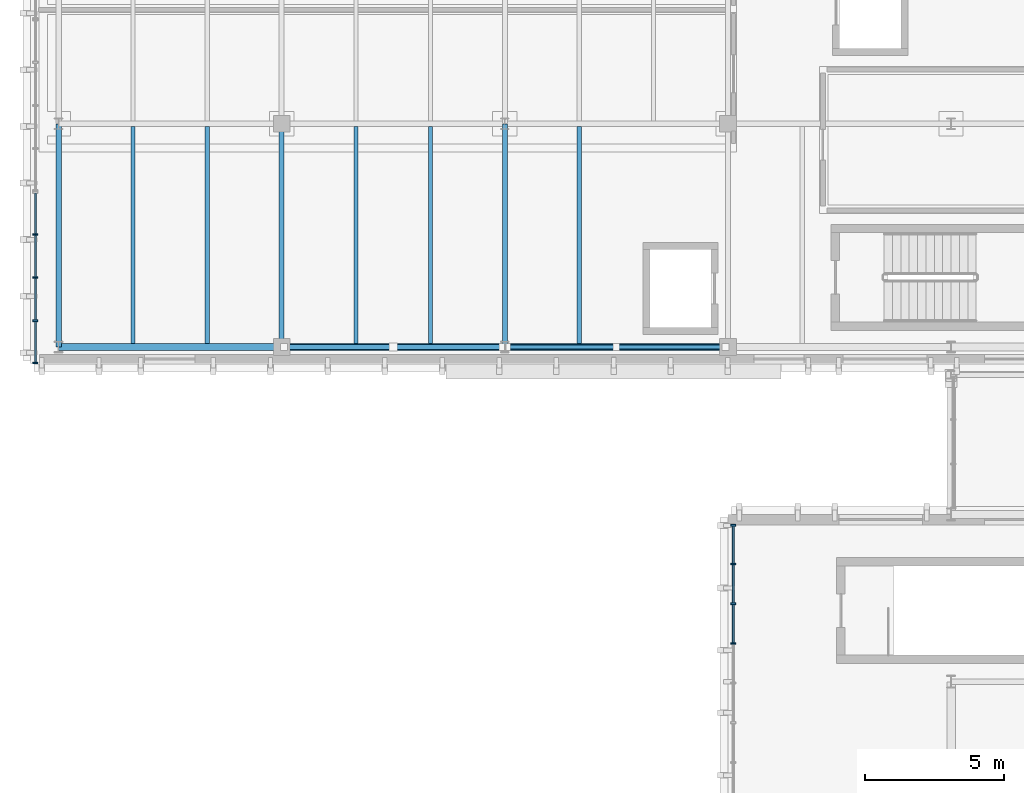
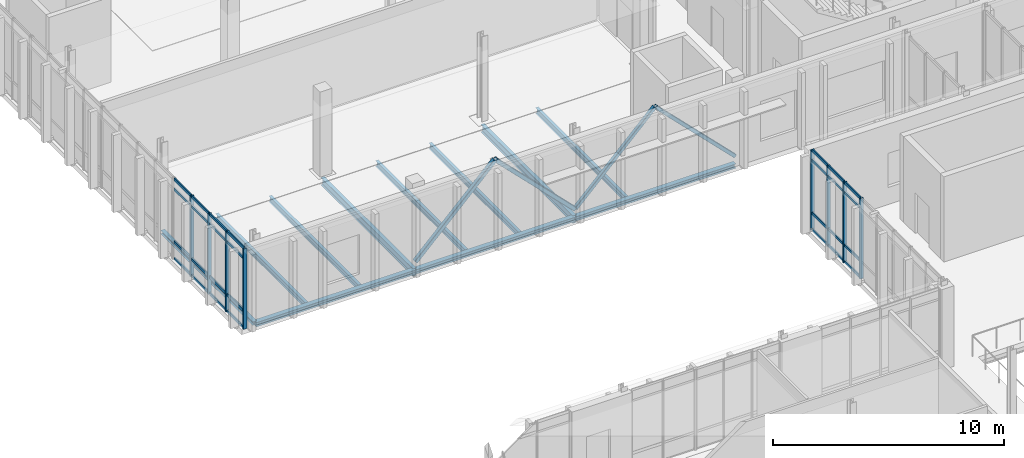
# One storey, part 20 of 100: 40 members, 11 beams, 2 elements without a shape of their own.
"""IFC4 building model written with IfcOpenShell, lengths in metres."""

from ifc_helpers import new_model, si_unit, direction, frame, origin, origin_2d, place, context, subcontext, project, spatial, rectangle, hollow_rectangle, i_section, extrude, material, material_profile, profile_set, type_object, element, aggregate, save


model = new_model("IFC4")

# Units and contexts
model_context = context("Model", 3, precision=1e-05, world=origin(), true_north=direction((0.0, 1.0)))
body_context = subcontext(model_context, "Body", "Model", "MODEL_VIEW")
ifc_project = project(units=[si_unit("LENGTHUNIT", "METRE"), si_unit("AREAUNIT", "SQUARE_METRE"), si_unit("VOLUMEUNIT", "CUBIC_METRE"), si_unit("PLANEANGLEUNIT", "RADIAN"), si_unit("MASSUNIT", "GRAM", prefix="KILO")], contexts=[model_context])

# Site, building, storey
site_placement = place(None, origin())
site = spatial("IfcSite", under=ifc_project, at=site_placement, CompositionType="ELEMENT")
building_placement = place(site_placement, origin())
building = spatial("IfcBuilding", under=site, at=building_placement, Name="Cymarion Research Institute", CompositionType="ELEMENT")
storey_placement = place(building_placement, frame((0.0, 0.0, 9.300048828125)))
storey = spatial("IfcBuildingStorey", under=building, at=storey_placement, Name="L02", CompositionType="ELEMENT", Elevation=9.300048828125)

# Curtain wall, members
ifc_material_1 = material(Name="Anodised aluminium unitised curtain wall with Low-E glazing", Category="aluminium")
curtain_wall_type_1 = type_object("IfcCurtainWallType", Name="UNITISED CURTAIN WALL CW15 11380X4250", PredefinedType="NOTDEFINED", material=ifc_material_1)
curtain_wall_1_placement = place(storey_placement, origin())
curtain_wall_1 = element("IfcCurtainWall", 1, at=curtain_wall_1_placement, inside=storey, type_object=curtain_wall_type_1, Name="L02 V3 unitised curtain wall CW15 #93", PredefinedType="NOTDEFINED")
ifc_material_2 = material(Name="Anodised aluminium framing", Category="aluminium")
ifc_material_profile_1 = material_profile(ifc_material_2, rectangle(XDim=0.06005859375, YDim=0.179931640625, at=origin_2d()), Name="ALU MULLION 60x180")
ifc_profile_set_1 = profile_set([ifc_material_profile_1], Name="Anodised aluminium framing")
member_type_1 = type_object("IfcMemberType", Name="CURTAIN WALL MULLION ML01 60X180", PredefinedType="MULLION", material=ifc_profile_set_1)
member_1_placement = place(storey_placement, frame((30.7900390625, 41.10791015625, 0.0), z_axis=(0.0, 0.0, 1.0), x_axis=(0.0, -1.0, 0.0)))
member_1 = element("IfcMember", 2, at=member_1_placement, type_object=member_type_1, Name="CW15 mullion 1", PredefinedType="MULLION", context=body_context, shape_type="SweptSolid", body=[
    extrude(rectangle(XDim=0.06005859375, YDim=0.179931640625, at=origin_2d()), origin(), (0.0, 0.0, 1.0), 4.25),
])
member_2_placement = place(storey_placement, frame((30.7900390625, 39.7158203125, 0.0), z_axis=(0.0, 0.0, 1.0), x_axis=(0.0, -1.0, 0.0)))
member_2 = element("IfcMember", 3, at=member_2_placement, type_object=member_type_1, Name="CW15 mullion 2", PredefinedType="MULLION", context=body_context, shape_type="SweptSolid", body=[
    extrude(rectangle(XDim=0.06005859375, YDim=0.179931640625, at=origin_2d()), origin(), (0.0, 0.0, 1.0), 4.25),
])
member_3_placement = place(storey_placement, frame((30.7900390625, 38.29345703125, 0.0), z_axis=(0.0, 0.0, 1.0), x_axis=(0.0, -1.0, 0.0)))
member_3 = element("IfcMember", 4, at=member_3_placement, type_object=member_type_1, Name="CW15 mullion 3", PredefinedType="MULLION", context=body_context, shape_type="SweptSolid", body=[
    extrude(rectangle(XDim=0.06005859375, YDim=0.179931640625, at=origin_2d()), origin(), (0.0, 0.0, 1.0), 4.25),
])
member_4_placement = place(storey_placement, frame((30.7900390625, 36.871337890625, 0.0), z_axis=(0.0, 0.0, 1.0), x_axis=(0.0, -1.0, 0.0)))
member_4 = element("IfcMember", 5, at=member_4_placement, type_object=member_type_1, Name="CW15 mullion 4", PredefinedType="MULLION", context=body_context, shape_type="SweptSolid", body=[
    extrude(rectangle(XDim=0.06005859375, YDim=0.179931640625, at=origin_2d()), origin(), (0.0, 0.0, 1.0), 4.25),
])

curtain_wall_type_2 = type_object("IfcCurtainWallType", Name="UNITISED CURTAIN WALL CW22 6180X4250", PredefinedType="NOTDEFINED", material=ifc_material_1)
curtain_wall_2_placement = place(storey_placement, origin())
curtain_wall_2 = element("IfcCurtainWall", 6, at=curtain_wall_2_placement, inside=storey, type_object=curtain_wall_type_2, Name="L02 V4 unitised curtain wall CW22 #107", PredefinedType="NOTDEFINED")
member_5_placement = place(storey_placement, frame((5.77001953125, 51.53173828125, 0.0), z_axis=(0.0, 0.0, 1.0), x_axis=(0.0, -1.0, 0.0)))
member_5 = element("IfcMember", 7, at=member_5_placement, type_object=member_type_1, Name="CW22 mullion 2", PredefinedType="MULLION", context=body_context, shape_type="SweptSolid", body=[
    extrude(rectangle(XDim=0.06005859375, YDim=0.179931640625, at=origin_2d()), origin(), (0.0, 0.0, 1.0), 4.25),
])
member_6_placement = place(storey_placement, frame((5.77001953125, 49.98779296875, 0.0), z_axis=(0.0, 0.0, 1.0), x_axis=(0.0, -1.0, 0.0)))
member_6 = element("IfcMember", 8, at=member_6_placement, type_object=member_type_1, Name="CW22 mullion 3", PredefinedType="MULLION", context=body_context, shape_type="SweptSolid", body=[
    extrude(rectangle(XDim=0.06005859375, YDim=0.179931640625, at=origin_2d()), origin(), (0.0, 0.0, 1.0), 4.25),
])
member_7_placement = place(storey_placement, frame((5.77001953125, 48.44384765625, 0.0), z_axis=(0.0, 0.0, 1.0), x_axis=(0.0, -1.0, 0.0)))
member_7 = element("IfcMember", 9, at=member_7_placement, type_object=member_type_1, Name="CW22 mullion 4", PredefinedType="MULLION", context=body_context, shape_type="SweptSolid", body=[
    extrude(rectangle(XDim=0.06005859375, YDim=0.179931640625, at=origin_2d()), origin(), (0.0, 0.0, 1.0), 4.25),
])
member_8_placement = place(storey_placement, frame((5.77001953125, 46.929931640625, 0.0), z_axis=(0.0, 0.0, 1.0), x_axis=(0.0, -1.0, 0.0)))
member_8 = element("IfcMember", 10, at=member_8_placement, type_object=member_type_1, Name="CW22 mullion 5", PredefinedType="MULLION", context=body_context, shape_type="SweptSolid", body=[
    extrude(rectangle(XDim=0.06005859375, YDim=0.179931640625, at=origin_2d()), origin(), (0.0, 0.0, 1.0), 4.25),
])

# Member
ifc_material_profile_2 = material_profile(ifc_material_2, rectangle(XDim=0.06005859375, YDim=0.14990234375, at=origin_2d()), Name="ALU TRANSOM 60x150")
ifc_profile_set_2 = profile_set([ifc_material_profile_2], Name="Anodised aluminium framing")
member_type_2 = type_object("IfcMemberType", Name="CURTAIN WALL TRANSOM TR01 60X150", PredefinedType="USERDEFINED", material=ifc_profile_set_2)
member_9_placement = place(storey_placement, frame((30.7900390625, 41.077880859375, 0.030029296875), z_axis=(0.0, -1.0, 0.0), x_axis=(1.0, 0.0, 0.0)))
member_9 = element("IfcMember", 11, at=member_9_placement, type_object=member_type_2, Name="CW15 transom 1.1", ObjectType="TRANSOM", PredefinedType="USERDEFINED", context=body_context, shape_type="SweptSolid", body=[
    extrude(rectangle(XDim=0.06005859375, YDim=0.14990234375, at=origin_2d()), origin(), (0.0, 0.0, 1.0), 1.33203125),
])

member_10_placement = place(storey_placement, frame((30.7900390625, 41.077880859375, 0.89990234375), z_axis=(0.0, -1.0, 0.0), x_axis=(1.0, 0.0, 0.0)))
member_10 = element("IfcMember", 12, at=member_10_placement, type_object=member_type_2, Name="CW15 transom 1.2", ObjectType="TRANSOM", PredefinedType="USERDEFINED", context=body_context, shape_type="SweptSolid", body=[
    extrude(rectangle(XDim=0.06005859375, YDim=0.14990234375, at=origin_2d()), origin(), (0.0, 0.0, 1.0), 1.33203125),
])

member_11_placement = place(storey_placement, frame((30.7900390625, 41.077880859375, 3.699951171875), z_axis=(0.0, -1.0, 0.0), x_axis=(1.0, 0.0, 0.0)))
member_11 = element("IfcMember", 13, at=member_11_placement, type_object=member_type_2, Name="CW15 transom 1.3", ObjectType="TRANSOM", PredefinedType="USERDEFINED", context=body_context, shape_type="SweptSolid", body=[
    extrude(rectangle(XDim=0.06005859375, YDim=0.14990234375, at=origin_2d()), origin(), (0.0, 0.0, 1.0), 1.33203125),
])

member_12_placement = place(storey_placement, frame((30.7900390625, 41.077880859375, 4.219970703125), z_axis=(0.0, -1.0, 0.0), x_axis=(1.0, 0.0, 0.0)))
member_12 = element("IfcMember", 14, at=member_12_placement, type_object=member_type_2, Name="CW15 transom 1.4", ObjectType="TRANSOM", PredefinedType="USERDEFINED", context=body_context, shape_type="SweptSolid", body=[
    extrude(rectangle(XDim=0.06005859375, YDim=0.14990234375, at=origin_2d()), origin(), (0.0, 0.0, 1.0), 1.33203125),
])

member_13_placement = place(storey_placement, frame((30.7900390625, 39.685791015625, 0.030029296875), z_axis=(0.0, -1.0, 0.0), x_axis=(1.0, 0.0, 0.0)))
member_13 = element("IfcMember", 15, at=member_13_placement, type_object=member_type_2, Name="CW15 transom 2.1", ObjectType="TRANSOM", PredefinedType="USERDEFINED", context=body_context, shape_type="SweptSolid", body=[
    extrude(rectangle(XDim=0.06005859375, YDim=0.14990234375, at=origin_2d()), origin(), (0.0, 0.0, 1.0), 1.3623046875),
])

member_14_placement = place(storey_placement, frame((30.7900390625, 39.685791015625, 0.89990234375), z_axis=(0.0, -1.0, 0.0), x_axis=(1.0, 0.0, 0.0)))
member_14 = element("IfcMember", 16, at=member_14_placement, type_object=member_type_2, Name="CW15 transom 2.2", ObjectType="TRANSOM", PredefinedType="USERDEFINED", context=body_context, shape_type="SweptSolid", body=[
    extrude(rectangle(XDim=0.06005859375, YDim=0.14990234375, at=origin_2d()), origin(), (0.0, 0.0, 1.0), 1.3623046875),
])

member_15_placement = place(storey_placement, frame((30.7900390625, 39.685791015625, 3.699951171875), z_axis=(0.0, -1.0, 0.0), x_axis=(1.0, 0.0, 0.0)))
member_15 = element("IfcMember", 17, at=member_15_placement, type_object=member_type_2, Name="CW15 transom 2.3", ObjectType="TRANSOM", PredefinedType="USERDEFINED", context=body_context, shape_type="SweptSolid", body=[
    extrude(rectangle(XDim=0.06005859375, YDim=0.14990234375, at=origin_2d()), origin(), (0.0, 0.0, 1.0), 1.3623046875),
])

member_16_placement = place(storey_placement, frame((30.7900390625, 39.685791015625, 4.219970703125), z_axis=(0.0, -1.0, 0.0), x_axis=(1.0, 0.0, 0.0)))
member_16 = element("IfcMember", 18, at=member_16_placement, type_object=member_type_2, Name="CW15 transom 2.4", ObjectType="TRANSOM", PredefinedType="USERDEFINED", context=body_context, shape_type="SweptSolid", body=[
    extrude(rectangle(XDim=0.06005859375, YDim=0.14990234375, at=origin_2d()), origin(), (0.0, 0.0, 1.0), 1.3623046875),
])

member_17_placement = place(storey_placement, frame((30.7900390625, 38.263427734375, 0.030029296875), z_axis=(0.0, -1.0, 0.0), x_axis=(1.0, 0.0, 0.0)))
member_17 = element("IfcMember", 19, at=member_17_placement, type_object=member_type_2, Name="CW15 transom 3.1", ObjectType="TRANSOM", PredefinedType="USERDEFINED", context=body_context, shape_type="SweptSolid", body=[
    extrude(rectangle(XDim=0.06005859375, YDim=0.14990234375, at=origin_2d()), origin(), (0.0, 0.0, 1.0), 1.362060546875),
])

member_18_placement = place(storey_placement, frame((30.7900390625, 38.263427734375, 0.89990234375), z_axis=(0.0, -1.0, 0.0), x_axis=(1.0, 0.0, 0.0)))
member_18 = element("IfcMember", 20, at=member_18_placement, type_object=member_type_2, Name="CW15 transom 3.2", ObjectType="TRANSOM", PredefinedType="USERDEFINED", context=body_context, shape_type="SweptSolid", body=[
    extrude(rectangle(XDim=0.06005859375, YDim=0.14990234375, at=origin_2d()), origin(), (0.0, 0.0, 1.0), 1.362060546875),
])

member_19_placement = place(storey_placement, frame((30.7900390625, 38.263427734375, 3.699951171875), z_axis=(0.0, -1.0, 0.0), x_axis=(1.0, 0.0, 0.0)))
member_19 = element("IfcMember", 21, at=member_19_placement, type_object=member_type_2, Name="CW15 transom 3.3", ObjectType="TRANSOM", PredefinedType="USERDEFINED", context=body_context, shape_type="SweptSolid", body=[
    extrude(rectangle(XDim=0.06005859375, YDim=0.14990234375, at=origin_2d()), origin(), (0.0, 0.0, 1.0), 1.362060546875),
])

member_20_placement = place(storey_placement, frame((30.7900390625, 38.263427734375, 4.219970703125), z_axis=(0.0, -1.0, 0.0), x_axis=(1.0, 0.0, 0.0)))
member_20 = element("IfcMember", 22, at=member_20_placement, type_object=member_type_2, Name="CW15 transom 3.4", ObjectType="TRANSOM", PredefinedType="USERDEFINED", context=body_context, shape_type="SweptSolid", body=[
    extrude(rectangle(XDim=0.06005859375, YDim=0.14990234375, at=origin_2d()), origin(), (0.0, 0.0, 1.0), 1.362060546875),
])

aggregate(curtain_wall_1, [member_1, member_2, member_3, member_4, member_9, member_10, member_11, member_12, member_13, member_14, member_15, member_16, member_17, member_18, member_19, member_20])

member_21_placement = place(storey_placement, frame((5.77001953125, 53.015625, 0.030029296875), z_axis=(0.0, -1.0, 0.0), x_axis=(1.0, 0.0, 0.0)))
member_21 = element("IfcMember", 23, at=member_21_placement, type_object=member_type_2, Name="CW22 transom 1.1", ObjectType="TRANSOM", PredefinedType="USERDEFINED", context=body_context, shape_type="SweptSolid", body=[
    extrude(rectangle(XDim=0.06005859375, YDim=0.14990234375, at=origin_2d()), origin(), (0.0, 0.0, 1.0), 1.453857421875),
])

member_22_placement = place(storey_placement, frame((5.77001953125, 53.015625, 0.89990234375), z_axis=(0.0, -1.0, 0.0), x_axis=(1.0, 0.0, 0.0)))
member_22 = element("IfcMember", 24, at=member_22_placement, type_object=member_type_2, Name="CW22 transom 1.2", ObjectType="TRANSOM", PredefinedType="USERDEFINED", context=body_context, shape_type="SweptSolid", body=[
    extrude(rectangle(XDim=0.06005859375, YDim=0.14990234375, at=origin_2d()), origin(), (0.0, 0.0, 1.0), 1.453857421875),
])

member_23_placement = place(storey_placement, frame((5.77001953125, 53.015625, 3.699951171875), z_axis=(0.0, -1.0, 0.0), x_axis=(1.0, 0.0, 0.0)))
member_23 = element("IfcMember", 25, at=member_23_placement, type_object=member_type_2, Name="CW22 transom 1.3", ObjectType="TRANSOM", PredefinedType="USERDEFINED", context=body_context, shape_type="SweptSolid", body=[
    extrude(rectangle(XDim=0.06005859375, YDim=0.14990234375, at=origin_2d()), origin(), (0.0, 0.0, 1.0), 1.453857421875),
])

member_24_placement = place(storey_placement, frame((5.77001953125, 53.015625, 4.219970703125), z_axis=(0.0, -1.0, 0.0), x_axis=(1.0, 0.0, 0.0)))
member_24 = element("IfcMember", 26, at=member_24_placement, type_object=member_type_2, Name="CW22 transom 1.4", ObjectType="TRANSOM", PredefinedType="USERDEFINED", context=body_context, shape_type="SweptSolid", body=[
    extrude(rectangle(XDim=0.06005859375, YDim=0.14990234375, at=origin_2d()), origin(), (0.0, 0.0, 1.0), 1.453857421875),
])

member_25_placement = place(storey_placement, frame((5.77001953125, 51.501708984375, 0.030029296875), z_axis=(0.0, -1.0, 0.0), x_axis=(1.0, 0.0, 0.0)))
member_25 = element("IfcMember", 27, at=member_25_placement, type_object=member_type_2, Name="CW22 transom 2.1", ObjectType="TRANSOM", PredefinedType="USERDEFINED", context=body_context, shape_type="SweptSolid", body=[
    extrude(rectangle(XDim=0.06005859375, YDim=0.14990234375, at=origin_2d()), origin(), (0.0, 0.0, 1.0), 1.48388671875),
])

member_26_placement = place(storey_placement, frame((5.77001953125, 51.501708984375, 0.89990234375), z_axis=(0.0, -1.0, 0.0), x_axis=(1.0, 0.0, 0.0)))
member_26 = element("IfcMember", 28, at=member_26_placement, type_object=member_type_2, Name="CW22 transom 2.2", ObjectType="TRANSOM", PredefinedType="USERDEFINED", context=body_context, shape_type="SweptSolid", body=[
    extrude(rectangle(XDim=0.06005859375, YDim=0.14990234375, at=origin_2d()), origin(), (0.0, 0.0, 1.0), 1.48388671875),
])

member_27_placement = place(storey_placement, frame((5.77001953125, 51.501708984375, 3.699951171875), z_axis=(0.0, -1.0, 0.0), x_axis=(1.0, 0.0, 0.0)))
member_27 = element("IfcMember", 29, at=member_27_placement, type_object=member_type_2, Name="CW22 transom 2.3", ObjectType="TRANSOM", PredefinedType="USERDEFINED", context=body_context, shape_type="SweptSolid", body=[
    extrude(rectangle(XDim=0.06005859375, YDim=0.14990234375, at=origin_2d()), origin(), (0.0, 0.0, 1.0), 1.48388671875),
])

member_28_placement = place(storey_placement, frame((5.77001953125, 51.501708984375, 4.219970703125), z_axis=(0.0, -1.0, 0.0), x_axis=(1.0, 0.0, 0.0)))
member_28 = element("IfcMember", 30, at=member_28_placement, type_object=member_type_2, Name="CW22 transom 2.4", ObjectType="TRANSOM", PredefinedType="USERDEFINED", context=body_context, shape_type="SweptSolid", body=[
    extrude(rectangle(XDim=0.06005859375, YDim=0.14990234375, at=origin_2d()), origin(), (0.0, 0.0, 1.0), 1.48388671875),
])

member_29_placement = place(storey_placement, frame((5.77001953125, 49.957763671875, 0.030029296875), z_axis=(0.0, -1.0, 0.0), x_axis=(1.0, 0.0, 0.0)))
member_29 = element("IfcMember", 31, at=member_29_placement, type_object=member_type_2, Name="CW22 transom 3.1", ObjectType="TRANSOM", PredefinedType="USERDEFINED", context=body_context, shape_type="SweptSolid", body=[
    extrude(rectangle(XDim=0.06005859375, YDim=0.14990234375, at=origin_2d()), origin(), (0.0, 0.0, 1.0), 1.48388671875),
])

member_30_placement = place(storey_placement, frame((5.77001953125, 49.957763671875, 0.89990234375), z_axis=(0.0, -1.0, 0.0), x_axis=(1.0, 0.0, 0.0)))
member_30 = element("IfcMember", 32, at=member_30_placement, type_object=member_type_2, Name="CW22 transom 3.2", ObjectType="TRANSOM", PredefinedType="USERDEFINED", context=body_context, shape_type="SweptSolid", body=[
    extrude(rectangle(XDim=0.06005859375, YDim=0.14990234375, at=origin_2d()), origin(), (0.0, 0.0, 1.0), 1.48388671875),
])

member_31_placement = place(storey_placement, frame((5.77001953125, 49.957763671875, 3.699951171875), z_axis=(0.0, -1.0, 0.0), x_axis=(1.0, 0.0, 0.0)))
member_31 = element("IfcMember", 33, at=member_31_placement, type_object=member_type_2, Name="CW22 transom 3.3", ObjectType="TRANSOM", PredefinedType="USERDEFINED", context=body_context, shape_type="SweptSolid", body=[
    extrude(rectangle(XDim=0.06005859375, YDim=0.14990234375, at=origin_2d()), origin(), (0.0, 0.0, 1.0), 1.48388671875),
])

member_32_placement = place(storey_placement, frame((5.77001953125, 49.957763671875, 4.219970703125), z_axis=(0.0, -1.0, 0.0), x_axis=(1.0, 0.0, 0.0)))
member_32 = element("IfcMember", 34, at=member_32_placement, type_object=member_type_2, Name="CW22 transom 3.4", ObjectType="TRANSOM", PredefinedType="USERDEFINED", context=body_context, shape_type="SweptSolid", body=[
    extrude(rectangle(XDim=0.06005859375, YDim=0.14990234375, at=origin_2d()), origin(), (0.0, 0.0, 1.0), 1.48388671875),
])

member_33_placement = place(storey_placement, frame((5.77001953125, 48.413818359375, 0.030029296875), z_axis=(0.0, -1.0, 0.0), x_axis=(1.0, 0.0, 0.0)))
member_33 = element("IfcMember", 35, at=member_33_placement, type_object=member_type_2, Name="CW22 transom 4.1", ObjectType="TRANSOM", PredefinedType="USERDEFINED", context=body_context, shape_type="SweptSolid", body=[
    extrude(rectangle(XDim=0.06005859375, YDim=0.14990234375, at=origin_2d()), origin(), (0.0, 0.0, 1.0), 1.453857421875),
])

member_34_placement = place(storey_placement, frame((5.77001953125, 48.413818359375, 0.89990234375), z_axis=(0.0, -1.0, 0.0), x_axis=(1.0, 0.0, 0.0)))
member_34 = element("IfcMember", 36, at=member_34_placement, type_object=member_type_2, Name="CW22 transom 4.2", ObjectType="TRANSOM", PredefinedType="USERDEFINED", context=body_context, shape_type="SweptSolid", body=[
    extrude(rectangle(XDim=0.06005859375, YDim=0.14990234375, at=origin_2d()), origin(), (0.0, 0.0, 1.0), 1.453857421875),
])

member_35_placement = place(storey_placement, frame((5.77001953125, 48.413818359375, 3.699951171875), z_axis=(0.0, -1.0, 0.0), x_axis=(1.0, 0.0, 0.0)))
member_35 = element("IfcMember", 37, at=member_35_placement, type_object=member_type_2, Name="CW22 transom 4.3", ObjectType="TRANSOM", PredefinedType="USERDEFINED", context=body_context, shape_type="SweptSolid", body=[
    extrude(rectangle(XDim=0.06005859375, YDim=0.14990234375, at=origin_2d()), origin(), (0.0, 0.0, 1.0), 1.453857421875),
])

member_36_placement = place(storey_placement, frame((5.77001953125, 48.413818359375, 4.219970703125), z_axis=(0.0, -1.0, 0.0), x_axis=(1.0, 0.0, 0.0)))
member_36 = element("IfcMember", 38, at=member_36_placement, type_object=member_type_2, Name="CW22 transom 4.4", ObjectType="TRANSOM", PredefinedType="USERDEFINED", context=body_context, shape_type="SweptSolid", body=[
    extrude(rectangle(XDim=0.06005859375, YDim=0.14990234375, at=origin_2d()), origin(), (0.0, 0.0, 1.0), 1.453857421875),
])

aggregate(curtain_wall_2, [member_5, member_6, member_7, member_8, member_21, member_22, member_23, member_24, member_25, member_26, member_27, member_28, member_29, member_30, member_31, member_32, member_33, member_34, member_35, member_36])

# Beams
ifc_material_3 = material(Name="Steel S355", Category="steel")
ifc_material_profile_3 = material_profile(ifc_material_3, i_section(OverallWidth=0.179931640625, OverallDepth=0.39990234375, WebThickness=0.008544921875, FlangeThickness=0.013427734375, FilletRadius=0.02099609375, at=origin_2d()), Name="IPE 400")
ifc_profile_set_3 = profile_set([ifc_material_profile_3], Name="Steel S355")
beam_type_1 = type_object("IfcBeamType", Name="PRIMARY GIRDER BM05 IPE 400", PredefinedType="BEAM", material=ifc_profile_set_3)
for number, where, z_axis, x_axis, name in (
    (39, (14.60009765625, 47.506103515625, -0.449951171875), (0.0, 1.0, 0.0), (-1.0, 0.0, 0.0), "L02 V4 girder BM05 #1058"),
    (40, (22.60009765625, 47.506103515625, -0.449951171875), (0.0, 1.0, 0.0), (-1.0, 0.0, 0.0), "L02 V4 girder BM05 #1062"),
):
    element("IfcBeam", number, at=place(storey_placement, frame(where, z_axis=z_axis, x_axis=x_axis)), inside=storey, type_object=beam_type_1, Name=name, PredefinedType="BEAM", context=body_context, shape_type="SweptSolid", body=[
        extrude(i_section(OverallWidth=0.179931640625, OverallDepth=0.39990234375, WebThickness=0.008544921875, FlangeThickness=0.013427734375, FilletRadius=0.02099609375, at=origin_2d()), origin(), (0.0, 0.0, 1.0), 7.98779296875),
    ])
ifc_material_profile_4 = material_profile(ifc_material_3, i_section(OverallWidth=0.14990234375, OverallDepth=0.300048828125, WebThickness=0.007080078125, FlangeThickness=0.0107421875, FilletRadius=0.014892578125, at=origin_2d()), Name="IPE 300")
ifc_profile_set_4 = profile_set([ifc_material_profile_4], Name="Steel S355")
beam_type_2 = type_object("IfcBeamType", Name="SECONDARY JOIST JS02 IPE 300", PredefinedType="JOIST", material=ifc_profile_set_4)
for number, where, z_axis, x_axis, name in (
    (41, (9.2666015625, 47.6240234375, -0.400146484375), (0.0, 1.0, 0.0), (-1.0, 0.0, 0.0), "L02 V4 secondary joist JS02 #1076"),
    (42, (11.933349609375, 47.6240234375, -0.400146484375), (0.0, 1.0, 0.0), (-1.0, 0.0, 0.0), "L02 V4 secondary joist JS02 #1077"),
    (43, (17.2666015625, 47.6240234375, -0.400146484375), (0.0, 1.0, 0.0), (-1.0, 0.0, 0.0), "L02 V4 secondary joist JS02 #1078"),
    (44, (19.933349609375, 47.6240234375, -0.400146484375), (0.0, 1.0, 0.0), (-1.0, 0.0, 0.0), "L02 V4 secondary joist JS02 #1079"),
    (45, (25.2666015625, 47.6240234375, -0.400146484375), (0.0, 1.0, 0.0), (-1.0, 0.0, 0.0), "L02 V4 secondary joist JS02 #1080"),
):
    element("IfcBeam", number, at=place(storey_placement, frame(where, z_axis=z_axis, x_axis=x_axis)), inside=storey, type_object=beam_type_2, Name=name, PredefinedType="JOIST", context=body_context, shape_type="SweptSolid", body=[
        extrude(i_section(OverallWidth=0.14990234375, OverallDepth=0.300048828125, WebThickness=0.007080078125, FlangeThickness=0.0107421875, FilletRadius=0.014892578125, at=origin_2d()), origin(), (0.0, 0.0, 1.0), 7.77685546875),
    ])
ifc_material_profile_5 = material_profile(ifc_material_3, i_section(OverallWidth=0.239990234375, OverallDepth=0.22998046875, WebThickness=0.007568359375, FlangeThickness=0.011962890625, FilletRadius=0.02099609375, at=origin_2d()), Name="HEA 240")
ifc_profile_set_5 = profile_set([ifc_material_profile_5], Name="Steel S355")
beam_type_3 = type_object("IfcBeamType", Name="SPANDREL BEAM SPB03 HEA 240", PredefinedType="SPANDREL", material=ifc_profile_set_5)
for number, where, z_axis, x_axis, name in (
    (46, (6.60595703125, 47.5, -0.364990234375), (1.0, 0.0, 0.0), (0.0, 1.0, 0.0), "L02 V4 girder SPB03 #1028"),
    (47, (14.60595703125, 47.5, -0.364990234375), (1.0, 0.0, 0.0), (0.0, 1.0, 0.0), "L02 V4 girder SPB03 #1029"),
    (48, (22.60595703125, 47.5, -0.364990234375), (1.0, 0.0, 0.0), (0.0, 1.0, 0.0), "L02 V4 girder SPB03 #1030"),
):
    element("IfcBeam", number, at=place(storey_placement, frame(where, z_axis=z_axis, x_axis=x_axis)), inside=storey, type_object=beam_type_3, Name=name, PredefinedType="SPANDREL", context=body_context, shape_type="SweptSolid", body=[
        extrude(i_section(OverallWidth=0.239990234375, OverallDepth=0.22998046875, WebThickness=0.007568359375, FlangeThickness=0.011962890625, FilletRadius=0.02099609375, at=origin_2d()), origin(), (0.0, 0.0, 1.0), 7.988037109375),
    ])
ifc_material_profile_6 = material_profile(ifc_material_3, i_section(OverallWidth=0.199951171875, OverallDepth=0.18994140625, WebThickness=0.006591796875, FlangeThickness=0.010009765625, FilletRadius=0.01806640625, at=origin_2d()), Name="HEA 200")
ifc_profile_set_6 = profile_set([ifc_material_profile_6], Name="Steel S355")
beam_type_4 = type_object("IfcBeamType", Name="SPANDREL BEAM SPB04 HEA 200", PredefinedType="SPANDREL", material=ifc_profile_set_6)
beam_placement = place(storey_placement, frame((6.60009765625, 47.506103515625, -0.344970703125), z_axis=(0.0, 1.0, 0.0), x_axis=(-1.0, 0.0, 0.0)))
element("IfcBeam", 49, at=beam_placement, inside=storey, type_object=beam_type_4, Name="L02 V4 girder SPB04 #1054", PredefinedType="SPANDREL", context=body_context, shape_type="SweptSolid", body=[
    extrude(i_section(OverallWidth=0.199951171875, OverallDepth=0.18994140625, WebThickness=0.006591796875, FlangeThickness=0.010009765625, FilletRadius=0.01806640625, at=origin_2d()), origin(), (0.0, 0.0, 1.0), 7.98779296875),
])

# Members
ifc_material_profile_7 = material_profile(ifc_material_3, hollow_rectangle(XDim=0.199951171875, YDim=0.199951171875, WallThickness=0.010009765625, InnerFilletRadius=0.014892578125, OuterFilletRadius=0.02490234375, at=origin_2d()), Name="SHS 200x200x10")
ifc_profile_set_7 = profile_set([ifc_material_profile_7], Name="Steel S355")
member_type_3 = type_object("IfcMemberType", Name="STRUCTURAL MEMBER BR07 SHS 200x200x10", PredefinedType="BRACE", material=ifc_profile_set_7)
member_37_placement = place(storey_placement, frame((14.6142578125, 47.5, 0.119873046875), z_axis=(0.70610954467, 0.0, 0.708102613275), x_axis=(0.0, 1.0, 0.0)))
element("IfcMember", 50, at=member_37_placement, inside=storey, type_object=member_type_3, Name="L02 V4 seismic chevron brace BR07 #1", PredefinedType="BRACE", context=body_context, shape_type="SweptSolid", body=[
    extrude(hollow_rectangle(XDim=0.199951171875, YDim=0.199951171875, WallThickness=0.010009765625, InnerFilletRadius=0.014892578125, OuterFilletRadius=0.02490234375, at=origin_2d()), origin(), (0.0, 0.0, 1.0), 5.634765625),
])
member_38_placement = place(storey_placement, frame((22.585693359375, 47.5, 0.119873046875), z_axis=(-0.706087818821, 0.0, 0.708124277307), x_axis=(0.0, -1.0, 0.0)))
element("IfcMember", 51, at=member_38_placement, inside=storey, type_object=member_type_3, Name="L02 V4 seismic chevron brace BR07 #2", PredefinedType="BRACE", context=body_context, shape_type="SweptSolid", body=[
    extrude(hollow_rectangle(XDim=0.199951171875, YDim=0.199951171875, WallThickness=0.010009765625, InnerFilletRadius=0.014892578125, OuterFilletRadius=0.02490234375, at=origin_2d()), origin(), (0.0, 0.0, 1.0), 5.634521484375),
])
ifc_material_profile_8 = material_profile(ifc_material_3, hollow_rectangle(XDim=0.179931640625, YDim=0.179931640625, WallThickness=0.010009765625, InnerFilletRadius=0.014892578125, OuterFilletRadius=0.02490234375, at=origin_2d()), Name="SHS 180x180x10")
ifc_profile_set_8 = profile_set([ifc_material_profile_8], Name="Steel S355")
member_type_4 = type_object("IfcMemberType", Name="STRUCTURAL MEMBER BR08 SHS 180x180x10", PredefinedType="BRACE", material=ifc_profile_set_8)
member_39_placement = place(storey_placement, frame((22.6142578125, 47.5, 0.119873046875), z_axis=(0.70610954467, 0.0, 0.708102613275), x_axis=(0.0, 1.0, 0.0)))
element("IfcMember", 52, at=member_39_placement, inside=storey, type_object=member_type_4, Name="L02 V4 seismic chevron brace BR08 #1", PredefinedType="BRACE", context=body_context, shape_type="SweptSolid", body=[
    extrude(hollow_rectangle(XDim=0.179931640625, YDim=0.179931640625, WallThickness=0.010009765625, InnerFilletRadius=0.014892578125, OuterFilletRadius=0.02490234375, at=origin_2d()), origin(), (0.0, 0.0, 1.0), 5.634765625),
])
member_40_placement = place(storey_placement, frame((30.585693359375, 47.5, 0.119873046875), z_axis=(-0.706087818821, 0.0, 0.708124277307), x_axis=(0.0, -1.0, 0.0)))
element("IfcMember", 53, at=member_40_placement, inside=storey, type_object=member_type_4, Name="L02 V4 seismic chevron brace BR08 #2", PredefinedType="BRACE", context=body_context, shape_type="SweptSolid", body=[
    extrude(hollow_rectangle(XDim=0.179931640625, YDim=0.179931640625, WallThickness=0.010009765625, InnerFilletRadius=0.014892578125, OuterFilletRadius=0.02490234375, at=origin_2d()), origin(), (0.0, 0.0, 1.0), 5.634521484375),
])

save(model, "model.ifc")
